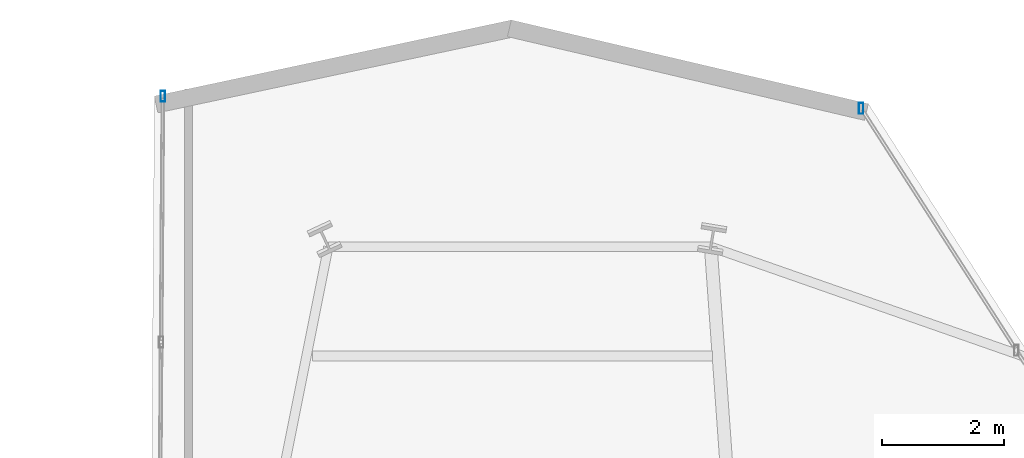
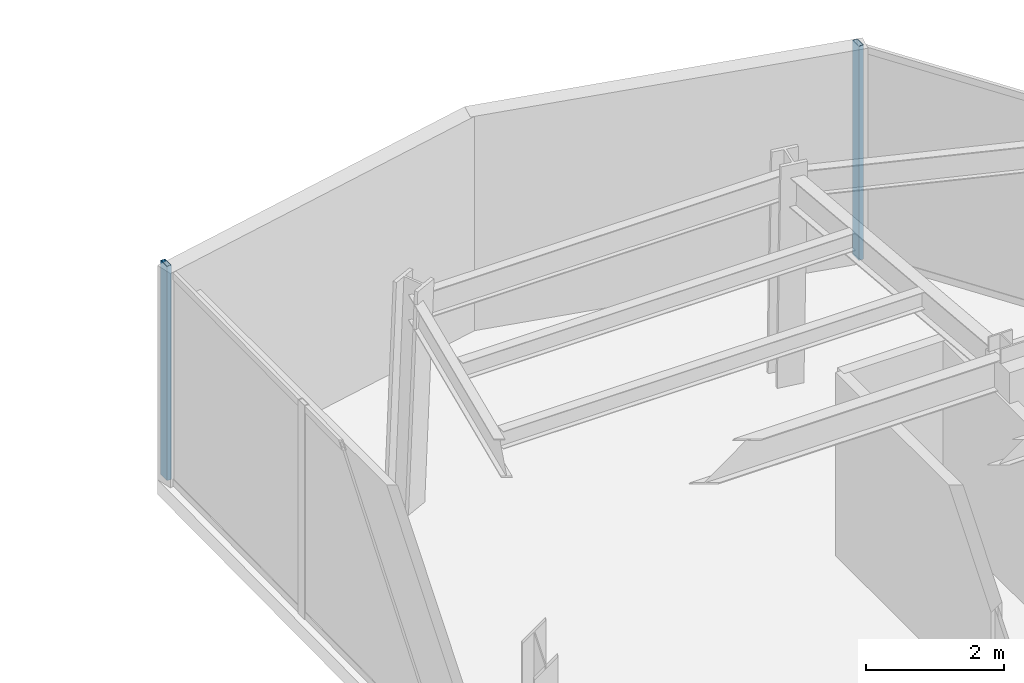
# One storey, part 17 of 23: 2 members, 2 elements without a shape of their own.
"""IFC4 building model written with IfcOpenShell, lengths in metres."""

import ifcopenshell
import ifcopenshell.guid

model = None  # the IFC model being written
_history = None  # IfcOwnerHistory: only IFC2X3 demands one
_inside = {}  # id of a spatial element -> (the spatial element, [elements in it])
_under = {}  # id of a project, library or spatial element -> (it, [spatial elements below it])
_declared = {}  # id of a project -> (the project, [libraries it declares])
_typed = {}  # id of a type object -> (the type object, [elements of that type])
_made_of = {}  # id of a material, layer set ... -> (it, [elements and type objects made of it])


def new_model(schema):
    """Start an empty IFC model of exactly this schema.

    Asked for "IFC4X3", IfcOpenShell would pick the latest addendum, in which some entities
    have other attributes; the version numbers below select the first issue.
    IFC2X3 requires an IfcOwnerHistory on every rooted entity: one is made here for all.
    """
    global model, _history
    if schema == "IFC4X3":
        model = ifcopenshell.file(schema_version=(4, 3, 0, 0))
    else:
        model = ifcopenshell.file(schema=schema)
    _inside.clear()
    _under.clear()
    _declared.clear()
    _typed.clear()
    _made_of.clear()
    _history = None
    if model.schema == "IFC2X3":
        org = make("IfcOrganization", Name="unknown")
        user = make(
            "IfcPersonAndOrganization",
            ThePerson=make("IfcPerson", FamilyName="unknown"),
            TheOrganization=org,
        )
        app = make(
            "IfcApplication",
            ApplicationDeveloper=org,
            Version="unknown",
            ApplicationFullName="unknown",
            ApplicationIdentifier="unknown",
        )
        _history = make(
            "IfcOwnerHistory",
            OwningUser=user,
            OwningApplication=app,
            ChangeAction="ADDED",
            CreationDate=0,
        )
    return model


def make(cls, **values):
    """One entity of the class cls with the attributes given. An attribute that is None is left unset."""
    return model.create_entity(
        cls, **{name: value for name, value in values.items() if value is not None}
    )


def rooted(cls, **values):
    """An entity with a GlobalId (a new one), such as an element, a storey or a relation."""
    return make(cls, GlobalId=ifcopenshell.guid.new(), OwnerHistory=_history, **values)


def si_unit(unit_type, name, prefix=None):
    """IfcSIUnit, for example si_unit("LENGTHUNIT", "METRE", prefix="MILLI")."""
    return make("IfcSIUnit", UnitType=unit_type, Prefix=prefix, Name=name)


def assignment(units):
    """IfcUnitAssignment: the units of a project."""
    return None if units is None else make("IfcUnitAssignment", Units=units)


def point(xyz):
    """IfcCartesianPoint."""
    return None if xyz is None else make("IfcCartesianPoint", Coordinates=xyz)


def direction(xyz):
    """IfcDirection."""
    return None if xyz is None else make("IfcDirection", DirectionRatios=xyz)


def frame(location, z_axis=None, x_axis=None):
    """IfcAxis2Placement3D, a coordinate frame: its origin and axes. An axis left out is left unset."""
    return make(
        "IfcAxis2Placement3D",
        Location=point(location),
        Axis=direction(z_axis),
        RefDirection=direction(x_axis),
    )


def frame_2d(location, x_axis=None):
    """IfcAxis2Placement2D, a coordinate frame in the plane: its origin and x axis."""
    return make(
        "IfcAxis2Placement2D", Location=point(location), RefDirection=direction(x_axis)
    )


def origin():
    """The frame at (0, 0, 0) with its axes left unset."""
    return frame((0.0, 0.0, 0.0))


def origin_2d():
    """The frame at (0, 0) in the plane with its x axis left unset."""
    return frame_2d((0.0, 0.0))


def place(relative_to, where):
    """IfcLocalPlacement: puts the frame where relative to a parent placement (None: the world)."""
    return make(
        "IfcLocalPlacement", PlacementRelTo=relative_to, RelativePlacement=where
    )


def context(
    kind, dimensions, precision=None, world=None, true_north=None, identifier=None
):
    """IfcGeometricRepresentationContext, for example the 3D "Model" context."""
    return make(
        "IfcGeometricRepresentationContext",
        ContextIdentifier=identifier,
        ContextType=kind,
        CoordinateSpaceDimension=dimensions,
        Precision=precision,
        WorldCoordinateSystem=world,
        TrueNorth=true_north,
    )


def subcontext(parent, identifier, kind, view, scale=None):
    """IfcGeometricRepresentationSubContext, for example "Body" below "Model"."""
    return make(
        "IfcGeometricRepresentationSubContext",
        ContextIdentifier=identifier,
        ContextType=kind,
        ParentContext=parent,
        TargetScale=scale,
        TargetView=view,
    )


def project(units=None, contexts=None):
    """IfcProject with its units and contexts."""
    return rooted(
        "IfcProject",
        Name="project",
        RepresentationContexts=contexts,
        UnitsInContext=assignment(units),
    )


def spatial(cls, under=None, at=None, **own):
    """A site, building, storey or space (cls), placed at a placement, below another one or the project."""
    s = rooted(cls, ObjectPlacement=at, **own)
    if under is not None:
        _under.setdefault(under.id(), (under, []))[1].append(s)
    return s


def profile(cls, at=None, kind="AREA", **sizes):
    """A parametric profile (cls). Its sizes go by their IFC names, for example OverallWidth=200.0."""
    return make(cls, ProfileType=kind, Position=at, **sizes)


def hollow_rectangle(**sizes):
    """IfcRectangleHollowProfileDef."""
    return profile("IfcRectangleHollowProfileDef", **sizes)


def extrude(swept, where, along, depth):
    """IfcExtrudedAreaSolid: the profile swept, set in the frame where, extruded along a direction by depth."""
    return make(
        "IfcExtrudedAreaSolid",
        SweptArea=swept,
        Position=where,
        ExtrudedDirection=direction(along),
        Depth=depth,
    )


def shape(context_of_items, identifier, shape_type, items):
    """IfcShapeRepresentation: the items that make up one representation, for example the "Body"."""
    return make(
        "IfcShapeRepresentation",
        ContextOfItems=context_of_items,
        RepresentationIdentifier=identifier,
        RepresentationType=shape_type,
        Items=items,
    )


def material(Name=None, Category=None):
    """IfcMaterial."""
    return make("IfcMaterial", Name=Name, Category=Category)


def layer(
    of_material, thickness, ventilated=None, Name=None, Category=None, Priority=None
):
    """IfcMaterialLayer: one layer of a wall or slab, of a material (None: an air gap)."""
    return make(
        "IfcMaterialLayer",
        Material=of_material,
        LayerThickness=thickness,
        IsVentilated=ventilated,
        Name=Name,
        Category=Category,
        Priority=Priority,
    )


def layer_set(layers, Name=None):
    """IfcMaterialLayerSet."""
    return make("IfcMaterialLayerSet", MaterialLayers=layers, LayerSetName=Name)


def material_profile(
    of_material, cross_section, Name=None, Category=None, Priority=None
):
    """IfcMaterialProfile: a cross section and its material."""
    return make(
        "IfcMaterialProfile",
        Name=Name,
        Material=of_material,
        Profile=cross_section,
        Priority=Priority,
        Category=Category,
    )


def profile_set(profiles, Name=None, composite=None):
    """IfcMaterialProfileSet."""
    return make(
        "IfcMaterialProfileSet",
        Name=Name,
        MaterialProfiles=profiles,
        CompositeProfile=composite,
    )


def made_of(thing, what):
    """Note that an element or type object is made of a material, layer set ...; save() writes the relation."""
    if what is not None:
        _made_of.setdefault(what.id(), (what, []))[1].append(thing)
    return thing


def type_object(cls, material=None, **own):
    """A type object (cls), such as IfcWallType, which elements share."""
    return made_of(rooted(cls, **own), material)


def element(
    cls,
    number,
    at=None,
    inside=None,
    cuts=None,
    type_object=None,
    material=None,
    context=None,
    identifier="Body",
    shape_type=None,
    held_by="IfcProductDefinitionShape",
    body=None,
    shapes=None,
    **own,
):
    """One element of the class cls, such as IfcWall. Its Tag is "e" and its number.

    at: its placement. inside: the storey or other place that contains it. cuts: it is an
    opening in that element (IfcRelVoidsElement). A single representation is given by context,
    identifier, shape_type and body (its items); several are given by shapes. held_by: the class
    of the entity that holds the representations. save() writes the other relations.
    """
    e = rooted(cls, Tag="e%d" % number, ObjectPlacement=at, **own)
    if body is not None:
        shapes = [shape(context, identifier, shape_type, body)]
    if shapes is not None:
        e.Representation = make(held_by, Representations=shapes)
    if inside is not None:
        _inside.setdefault(inside.id(), (inside, []))[1].append(e)
    if cuts is not None:
        rooted(
            "IfcRelVoidsElement", RelatingBuildingElement=cuts, RelatedOpeningElement=e
        )
    if type_object is not None:
        _typed.setdefault(type_object.id(), (type_object, []))[1].append(e)
    return made_of(e, material)


def aggregate(whole, parts):
    """IfcRelAggregates: a whole, such as a stair, and the parts it consists of."""
    return rooted("IfcRelAggregates", RelatingObject=whole, RelatedObjects=parts)


def save(model, path):
    """Write the relations noted so far, then the file.

    IfcRelAggregates (storeys below a building ...), IfcRelContainedInSpatialStructure (elements
    in a storey), IfcRelDefinesByType, IfcRelAssociatesMaterial and IfcRelDeclares: one each for
    every whole, place, type object, material and project.
    """
    for whole, parts in _under.values():
        aggregate(whole, parts)
    for where, things in _inside.values():
        rooted(
            "IfcRelContainedInSpatialStructure",
            RelatedElements=things,
            RelatingStructure=where,
        )
    for kind, things in _typed.values():
        rooted("IfcRelDefinesByType", RelatedObjects=things, RelatingType=kind)
    for what, things in _made_of.values():
        rooted("IfcRelAssociatesMaterial", RelatedObjects=things, RelatingMaterial=what)
    for by, libraries in _declared.values():
        rooted("IfcRelDeclares", RelatingContext=by, RelatedDefinitions=libraries)
    model.write(path)


model = new_model("IFC4")

# Units and contexts
model_context = context("Model", 3, precision=1e-05, world=origin(), true_north=direction((0.0, 1.0)))
body_context = subcontext(model_context, "Body", "Model", "MODEL_VIEW")
ifc_project = project(units=[si_unit("LENGTHUNIT", "METRE"), si_unit("AREAUNIT", "SQUARE_METRE"), si_unit("VOLUMEUNIT", "CUBIC_METRE"), si_unit("PLANEANGLEUNIT", "RADIAN"), si_unit("MASSUNIT", "GRAM", prefix="KILO")], contexts=[model_context])

# Site, building, storey
site_placement = place(None, origin())
site = spatial("IfcSite", under=ifc_project, at=site_placement, CompositionType="ELEMENT")
building_placement = place(site_placement, origin())
building = spatial("IfcBuilding", under=site, at=building_placement, Name="Veymaron Broadcast Tower", CompositionType="ELEMENT")
storey_placement = place(building_placement, frame((0.0, 0.0, 199.949951171875)))
storey = spatial("IfcBuildingStorey", under=building, at=storey_placement, Name="L46", CompositionType="ELEMENT", Elevation=199.949951171875)

# Curtain wall, member
ifc_material_1 = material(Name="Anodised aluminium AA 6063-T6 and laminated low-E dark glass", Category="aluminium")
ifc_layer = layer(ifc_material_1, 0.179931640625)
ifc_layer_set = layer_set([ifc_layer], Name="Anodised aluminium AA 6063-T6 and laminated low-E dark glass")
curtain_wall_type = type_object("IfcCurtainWallType", Name="CW-SYS-05", PredefinedType="NOTDEFINED", material=ifc_layer_set)
curtain_wall_1_placement = place(storey_placement, origin())
curtain_wall_1 = element("IfcCurtainWall", 1, at=curtain_wall_1_placement, inside=storey, type_object=curtain_wall_type, Name="L46 dark-glass curtain wall CW-L46-E5-1", PredefinedType="NOTDEFINED")
ifc_material_2 = material(Name="Anodised aluminium AA 6063-T6", Category="aluminium")
ifc_material_profile = material_profile(ifc_material_2, hollow_rectangle(XDim=0.074951171875, YDim=0.179931640625, WallThickness=0.0048828125, at=origin_2d()), Name="AL180X75X5")
ifc_profile_set = profile_set([ifc_material_profile], Name="Anodised aluminium AA 6063-T6")
member_type = type_object("IfcMemberType", Name="CW-MUL-02", PredefinedType="MULLION", material=ifc_profile_set)
member_1_placement = place(storey_placement, frame((41.06884765625, 39.87451171875, 0.0), z_axis=(0.0, 0.0, 1.0), x_axis=(1.0, 0.0, 0.0)))
member_1 = element("IfcMember", 2, at=member_1_placement, type_object=member_type, Name="CW-L46-E5-1 mullion 2", PredefinedType="MULLION", context=body_context, shape_type="SweptSolid", body=[
    extrude(hollow_rectangle(XDim=0.074951171875, YDim=0.179931640625, WallThickness=0.0048828125, at=origin_2d()), origin(), (0.0, 0.0, 1.0), 3.7900390625),
])
aggregate(curtain_wall_1, [member_1])

curtain_wall_2_placement = place(storey_placement, origin())
curtain_wall_2 = element("IfcCurtainWall", 3, at=curtain_wall_2_placement, inside=storey, type_object=curtain_wall_type, Name="L46 dark-glass curtain wall CW-L46-E8-1", PredefinedType="NOTDEFINED")
member_2_placement = place(storey_placement, frame((29.603271484375, 40.073974609375, 0.0), z_axis=(0.0, 0.0, 1.0), x_axis=(1.0, 0.0, 0.0)))
member_2 = element("IfcMember", 4, at=member_2_placement, type_object=member_type, Name="CW-L46-E8-1 mullion 0", PredefinedType="MULLION", context=body_context, shape_type="SweptSolid", body=[
    extrude(hollow_rectangle(XDim=0.074951171875, YDim=0.179931640625, WallThickness=0.0048828125, at=origin_2d()), origin(), (0.0, 0.0, 1.0), 3.7900390625),
])
aggregate(curtain_wall_2, [member_2])

save(model, "model.ifc")
